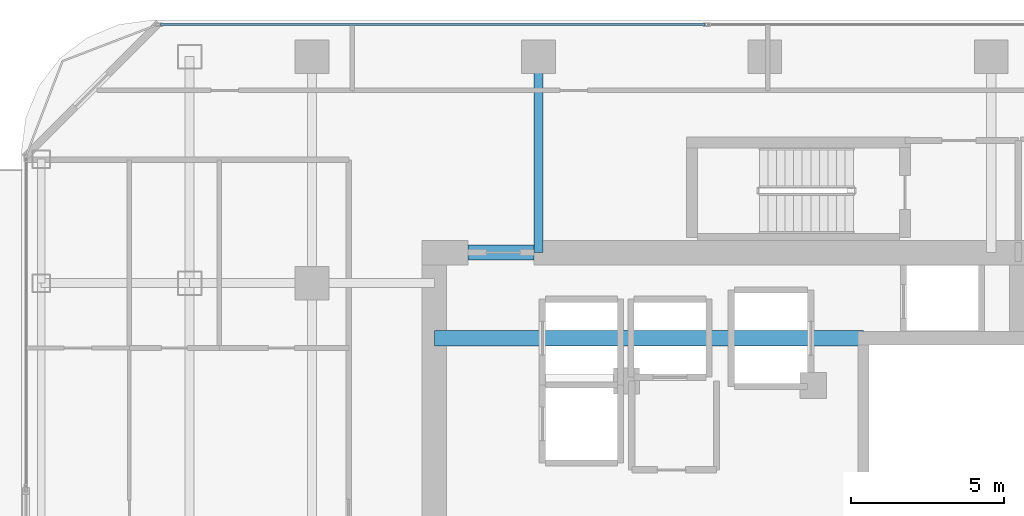
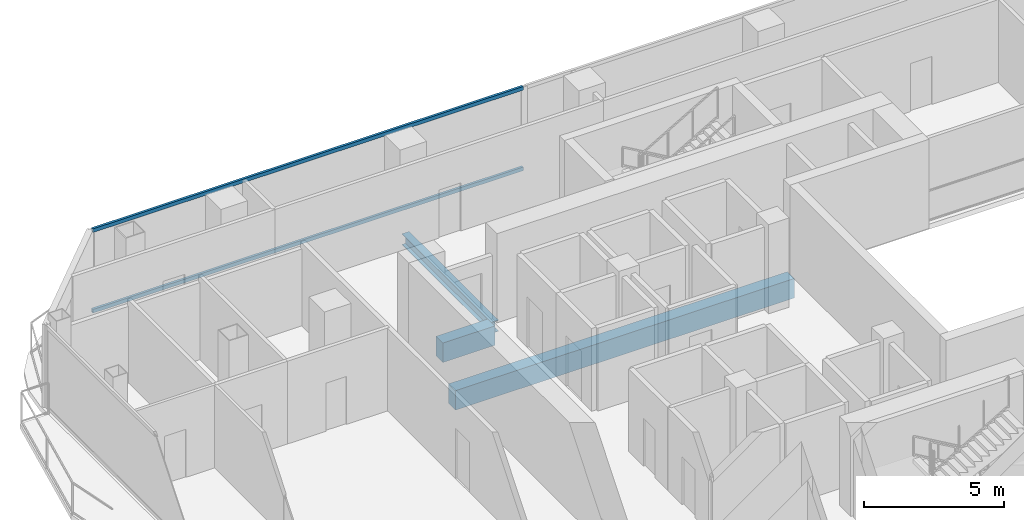
# One storey, part 12 of 23: 3 beams, 2 members, 1 element without a shape of its own.
"""IFC4 building model written with IfcOpenShell, lengths in metres."""

from ifc_helpers import new_model, si_unit, direction, frame, origin, origin_2d, place, context, subcontext, project, spatial, rectangle, hollow_rectangle, i_section, extrude, material, layer, layer_set, material_profile, profile_set, type_object, element, aggregate, save


model = new_model("IFC4")

# Units and contexts
model_context = context("Model", 3, precision=1e-05, world=origin(), true_north=direction((0.0, 1.0)))
body_context = subcontext(model_context, "Body", "Model", "MODEL_VIEW")
ifc_project = project(units=[si_unit("LENGTHUNIT", "METRE"), si_unit("AREAUNIT", "SQUARE_METRE"), si_unit("VOLUMEUNIT", "CUBIC_METRE"), si_unit("PLANEANGLEUNIT", "RADIAN"), si_unit("MASSUNIT", "GRAM", prefix="KILO")], contexts=[model_context])

# Site, building, storey
site_placement = place(None, origin())
site = spatial("IfcSite", under=ifc_project, at=site_placement, CompositionType="ELEMENT")
building_placement = place(site_placement, origin())
building = spatial("IfcBuilding", under=site, at=building_placement, Name="Khorvyn Point Tower", CompositionType="ELEMENT")
storey_placement = place(building_placement, frame((0.0, 0.0, 207.0)))
storey = spatial("IfcBuildingStorey", under=building, at=storey_placement, Name="L51", CompositionType="ELEMENT", Elevation=207.0)

# Curtain wall, members
ifc_material_1 = material(Name="Anodised aluminium 6063-T6 and laminated Low-E glass", Category="aluminium")
ifc_layer = layer(ifc_material_1, 0.18994140625)
ifc_layer_set = layer_set([ifc_layer], Name="Stick-Built Acoustic Curtain Wall CW-SYS-03")
curtain_wall_type = type_object("IfcCurtainWallType", Name="Stick-Built Acoustic Curtain Wall CW-SYS-03", PredefinedType="NOTDEFINED", material=ifc_layer_set)
curtain_wall_placement = place(storey_placement, origin())
curtain_wall = element("IfcCurtainWall", 1, at=curtain_wall_placement, inside=storey, type_object=curtain_wall_type, Name="Curtain Wall", PredefinedType="NOTDEFINED")
ifc_material_2 = material(Name="Anodised aluminium 6063-T6", Category="aluminium")
ifc_material_profile_1 = material_profile(ifc_material_2, hollow_rectangle(XDim=0.10009765625, YDim=0.159912109375, WallThickness=0.00439453125, at=origin_2d()))
ifc_profile_set_1 = profile_set([ifc_material_profile_1], Name="Anodised aluminium 6063-T6 ALU-TRN-100x160")
member_type = type_object("IfcMemberType", Name="Anodised Aluminium 6063-T6 Transom ALU-TRN-100x160", PredefinedType="USERDEFINED", material=ifc_profile_set_1)
member_1_placement = place(storey_placement, frame((-19.75, 15.85009765625, 0.050048828125), z_axis=(1.0, 0.0, 0.0), x_axis=(0.0, 1.0, 0.0)))
member_1 = element("IfcMember", 2, at=member_1_placement, type_object=member_type, Name="Transom", ObjectType="TRANSOM", PredefinedType="USERDEFINED", context=body_context, shape_type="SweptSolid", body=[
    extrude(hollow_rectangle(XDim=0.10009765625, YDim=0.159912109375, WallThickness=0.00439453125, at=origin_2d()), origin(), (0.0, 0.0, 1.0), 17.800048828125),
])
member_2_placement = place(storey_placement, frame((-19.75, 15.85009765625, 3.570068359375), z_axis=(1.0, 0.0, 0.0), x_axis=(0.0, 1.0, 0.0)))
member_2 = element("IfcMember", 3, at=member_2_placement, type_object=member_type, Name="Transom", ObjectType="TRANSOM", PredefinedType="USERDEFINED", context=body_context, shape_type="SweptSolid", body=[
    extrude(hollow_rectangle(XDim=0.10009765625, YDim=0.159912109375, WallThickness=0.00439453125, at=origin_2d()), origin(), (0.0, 0.0, 1.0), 17.800048828125),
])
aggregate(curtain_wall, [member_1, member_2])

# Beams
ifc_material_3 = material(Name="Concrete C45/55", Category="concrete")
ifc_material_profile_2 = material_profile(ifc_material_3, rectangle(XDim=0.5, YDim=0.85009765625, at=origin_2d()))
ifc_profile_set_2 = profile_set([ifc_material_profile_2], Name="Concrete C45/55 RC500x850")
beam_type_1 = type_object("IfcBeamType", Name="Concrete C45/55 Beam RC500x850", PredefinedType="BEAM", material=ifc_profile_set_2)
beam_1_placement = place(storey_placement, frame((-10.800048828125, 5.60009765625, -0.64501953125), z_axis=(1.0, 0.0, 0.0), x_axis=(0.0, 1.0, 0.0)))
element("IfcBeam", 4, at=beam_1_placement, inside=storey, type_object=beam_type_1, Name="L51 Core Internal Tie Girder N", PredefinedType="BEAM", context=body_context, shape_type="SweptSolid", body=[
    extrude(rectangle(XDim=0.5, YDim=0.85009765625, at=origin_2d()), origin(), (0.0, 0.0, 1.0), 14.02001953125),
])
beam_2_placement = place(storey_placement, frame((-9.699951171875, 8.39990234375, -0.64501953125), z_axis=(1.0, 0.0, 0.0), x_axis=(0.0, 1.0, 0.0)))
element("IfcBeam", 5, at=beam_2_placement, inside=storey, type_object=beam_type_1, Name="L51 Core Northwest Portal Coupling Beam", PredefinedType="BEAM", context=body_context, shape_type="SweptSolid", body=[
    extrude(rectangle(XDim=0.5, YDim=0.85009765625, at=origin_2d()), origin(), (0.0, 0.0, 1.0), 2.14990234375),
])
ifc_material_4 = material(Name="Steel S355", Category="steel")
ifc_material_profile_3 = material_profile(ifc_material_4, i_section(OverallWidth=0.300048828125, OverallDepth=0.488037109375, WebThickness=0.010986328125, FlangeThickness=0.01806640625, at=origin_2d()))
ifc_profile_set_3 = profile_set([ifc_material_profile_3], Name="Steel S355 H488x300x11x18")
beam_type_2 = type_object("IfcBeamType", Name="Steel S355 Spandrel H488x300x11x18", PredefinedType="SPANDREL", material=ifc_profile_set_3)
beam_3_placement = place(storey_placement, frame((-7.39990234375, 8.39990234375, -0.464111328125), z_axis=(0.0, 1.0, 0.0), x_axis=(-1.0, 0.0, 0.0)))
element("IfcBeam", 6, at=beam_3_placement, inside=storey, type_object=beam_type_2, Name="Beam", PredefinedType="SPANDREL", context=body_context, shape_type="SweptSolid", body=[
    extrude(i_section(OverallWidth=0.300048828125, OverallDepth=0.488037109375, WebThickness=0.010986328125, FlangeThickness=0.01806640625, at=origin_2d()), origin(), (0.0, 0.0, 1.0), 6.400146484375),
])

save(model, "model.ifc")
